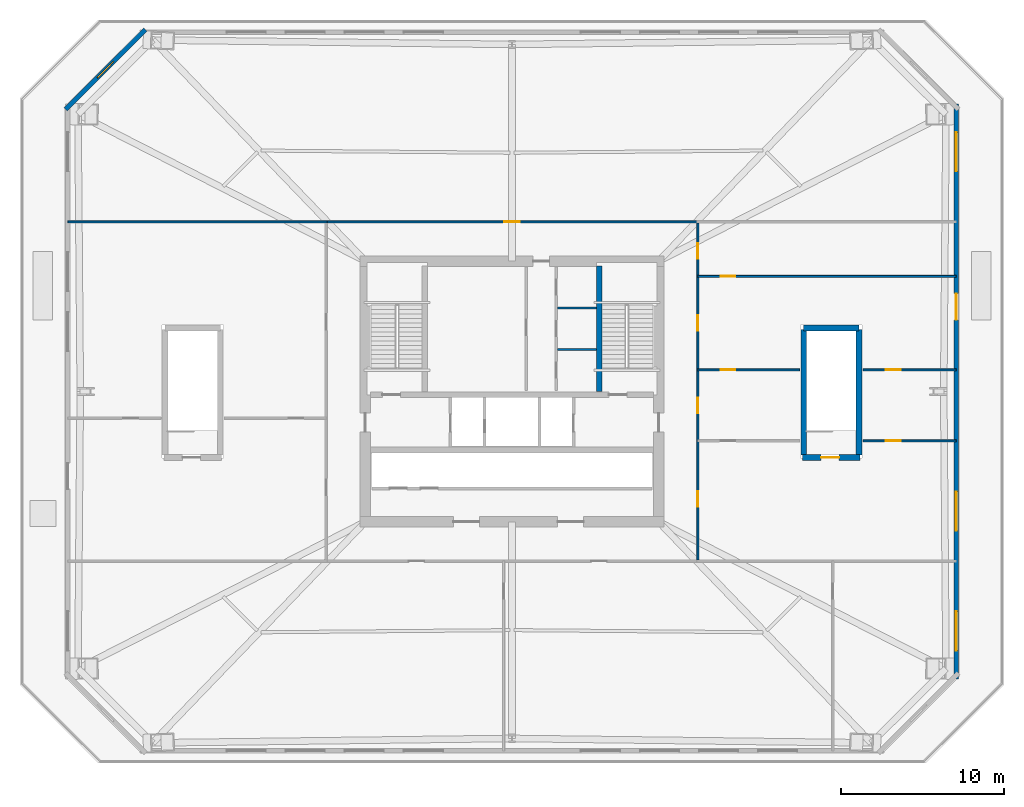
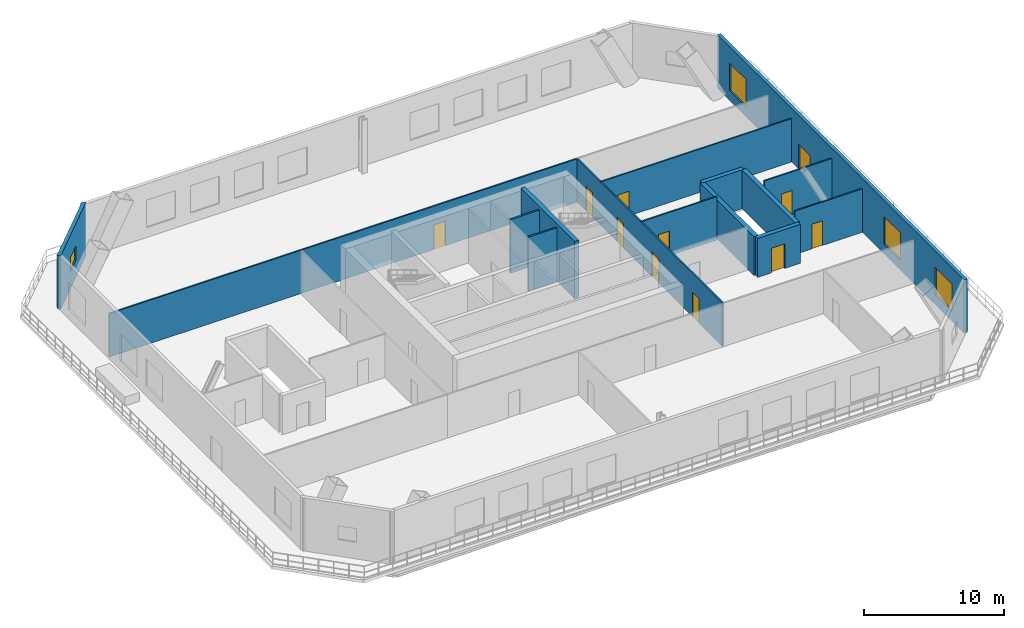
# One storey, part 4 of 7: 16 walls, 11 doors, 4 windows, 15 openings.
"""IFC4 building model written with IfcOpenShell, lengths in metres."""

from ifc_helpers import new_model, si_unit, direction, frame, frame_2d, origin, place, context, subcontext, project, spatial, rectangle, extrude, material, layer, layer_set, type_object, element, fill, save


model = new_model("IFC4")

# Units and contexts
model_context = context("Model", 3, precision=1e-05, world=origin(), true_north=direction((0.0, 1.0)))
body_context = subcontext(model_context, "Body", "Model", "MODEL_VIEW")
ifc_project = project(units=[si_unit("LENGTHUNIT", "METRE"), si_unit("AREAUNIT", "SQUARE_METRE"), si_unit("VOLUMEUNIT", "CUBIC_METRE"), si_unit("PLANEANGLEUNIT", "RADIAN"), si_unit("MASSUNIT", "GRAM", prefix="KILO")], contexts=[model_context])

# Site, building, storey
site_placement = place(None, origin())
site = spatial("IfcSite", under=ifc_project, at=site_placement, CompositionType="ELEMENT")
building_placement = place(site_placement, origin())
building = spatial("IfcBuilding", under=site, at=building_placement, Name="Caelvoria Tower", CompositionType="ELEMENT")
storey_placement = place(building_placement, frame((0.0, 0.0, 23.0)))
storey = spatial("IfcBuildingStorey", under=building, at=storey_placement, Name="L05", CompositionType="ELEMENT", Elevation=23.0)

# Wall
ifc_material_1 = material(Name="Concrete C50/60", Category="concrete")
ifc_layer_1 = layer(ifc_material_1, 0.35009765625, Name="Concrete C50/60")
ifc_layer_set_1 = layer_set([ifc_layer_1], Name="Core Internal Shear Wall 350 - Concrete C50/60")
wall_type_1 = type_object("IfcWallType", Name="Core Internal Shear Wall 350", PredefinedType="SHEAR", material=ifc_layer_set_1)
wall_1_placement = place(storey_placement, frame((51.35009765625, 32.0, 0.0), z_axis=(0.0, 0.0, 1.0), x_axis=(0.0, 1.0, 0.0)))
element("IfcWall", 1, at=wall_1_placement, inside=storey, type_object=wall_type_1, Name="Interior Partition IW-L05-ST2W", PredefinedType="SHEAR", context=body_context, shape_type="SweptSolid", body=[
    extrude(rectangle(XDim=7.699951171875, YDim=0.35009765625, at=frame_2d((3.85009765625, 0.0))), origin(), (0.0, 0.0, 1.0), 5.0),
])

# Wall, opening, door
wall_2_placement = place(storey_placement, frame((63.824951171875, 27.949951171875, 0.0), z_axis=(0.0, 0.0, 1.0), x_axis=(1.0, 0.0, 0.0)))
wall_2 = element("IfcWall", 2, at=wall_2_placement, inside=storey, type_object=wall_type_1, Name="Podium Stair Enclosure L05 ST4 S", PredefinedType="SHEAR", context=body_context, shape_type="SweptSolid", body=[
    extrude(rectangle(XDim=3.550048828125, YDim=0.35009765625, at=frame_2d((1.77490234375, 0.0))), origin(), (0.0, 0.0, 1.0), 3.39990234375),
])
opening_1_placement = place(wall_2_placement, frame((1.14990234375, 0.0, 0.0)))
opening_1 = element("IfcOpeningElement", 3, at=opening_1_placement, cuts=wall_2, Name="Opening ID-01", PredefinedType="OPENING", context=body_context, shape_type="SweptSolid", body=[
    extrude(rectangle(XDim=1.10009765625, YDim=2.14990234375, at=frame_2d((0.550048828125, 1.074951171875))), frame((0.0, 0.18505859375, 0.0), z_axis=(0.0, -1.0, 0.0), x_axis=(1.0, 0.0, 0.0)), (0.0, 0.0, 1.0), 0.3701171875),
])
ifc_material_2 = material(Name="Painted Hollow Steel Fire Door", Category="steel")
door_type_1 = type_object("IfcDoorType", Name="Fire Door FD90S 1100x2150", OperationType="NOTDEFINED", PredefinedType="DOOR", material=ifc_material_2)
door_1_placement = place(opening_1_placement, origin())
door_1 = element("IfcDoor", 4, at=door_1_placement, inside=storey, type_object=door_type_1, Name="Podium Stair Top Exit Door ST4", OperationType="SINGLE_SWING_LEFT", OverallHeight=2.14990234375, OverallWidth=1.10009765625, PredefinedType="DOOR", context=body_context, shape_type="SweptSolid", body=[
    extrude(rectangle(XDim=1.10009765625, YDim=2.14990234375, at=frame_2d((0.550048828125, 1.074951171875))), frame((0.0, 0.02490234375, 0.0), z_axis=(0.0, -1.0, 0.0), x_axis=(1.0, 0.0, 0.0)), (0.0, 0.0, 1.0), 0.050048828125),
])
fill(opening_1, door_1)

# Walls
wall_3_placement = place(storey_placement, frame((63.89990234375, 35.89990234375, 0.0), z_axis=(0.0, 0.0, 1.0), x_axis=(1.0, 0.0, 0.0)))
element("IfcWall", 5, at=wall_3_placement, inside=storey, type_object=wall_type_1, Name="Podium Stair Enclosure L05 ST4 N", PredefinedType="SHEAR", context=body_context, shape_type="SweptSolid", body=[
    extrude(rectangle(XDim=3.400146484375, YDim=0.35009765625, at=frame_2d((1.7001953125, 0.0))), origin(), (0.0, 0.0, 1.0), 3.39990234375),
])
for number, where, z_axis, x_axis, name in (
    (6, (63.89990234375, 28.10009765625, 0.0), (0.0, 0.0, 1.0), (0.0, 1.0, 0.0), "Podium Stair Enclosure L05 ST4 W"),
    (7, (67.300048828125, 28.10009765625, 0.0), (0.0, 0.0, 1.0), (0.0, 1.0, 0.0), "Podium Stair Enclosure L05 ST4 E"),
):
    element("IfcWall", number, at=place(storey_placement, frame(where, z_axis=z_axis, x_axis=x_axis)), inside=storey, type_object=wall_type_1, Name=name, PredefinedType="SHEAR", context=body_context, shape_type="SweptSolid", body=[
        extrude(rectangle(XDim=7.699951171875, YDim=0.35009765625, at=frame_2d((3.85009765625, 0.0))), origin(), (0.0, 0.0, 1.0), 3.39990234375),
    ])
ifc_material_3 = material(Name="Moisture-Resistant Gypsum on Steel Stud", Category="steel")
ifc_layer_2 = layer(ifc_material_3, 0.139892578125, Name="Moisture-Resistant Gypsum on Steel Stud")
ifc_layer_set_2 = layer_set([ifc_layer_2], Name="Core Sanitary Acoustic Partition Wall 140 - Moisture-Resistant Gypsum on Steel Stud")
wall_type_2 = type_object("IfcWallType", Name="Core Sanitary Acoustic Partition Wall 140", PredefinedType="PARTITIONING", material=ifc_layer_set_2)
for number, where, z_axis, x_axis, name in (
    (8, (48.800048828125, 34.580078125, 0.0), (0.0, 0.0, 1.0), (1.0, 0.0, 0.0), "Interior Partition IW-L05-C2H1"),
    (9, (48.800048828125, 37.1201171875, 0.0), (0.0, 0.0, 1.0), (1.0, 0.0, 0.0), "Interior Partition IW-L05-C2H2"),
):
    element("IfcWall", number, at=place(storey_placement, frame(where, z_axis=z_axis, x_axis=x_axis)), inside=storey, type_object=wall_type_2, Name=name, PredefinedType="PARTITIONING", context=body_context, shape_type="SweptSolid", body=[
        extrude(rectangle(XDim=2.39990234375, YDim=0.139892578125, at=frame_2d((1.199951171875, 0.0))), origin(), (0.0, 0.0, 1.0), 4.679931640625),
    ])

# Wall, openings, windows, door
ifc_material_4 = material(Name="Precast Concrete C40/50 with Bronze Cladding", Category="concrete")
ifc_layer_3 = layer(ifc_material_4, 0.280029296875, Name="Precast Concrete C40/50 with Bronze Cladding")
ifc_layer_set_3 = layer_set([ifc_layer_3], Name="Exterior Precast Concrete C40/50 Bronze-Clad Facade Wall 280 - Precast Concrete C40/50 with Bronze Cladding")
wall_type_3 = type_object("IfcWallType", Name="Exterior Precast Concrete C40/50 Bronze-Clad Facade Wall 280", PredefinedType="STANDARD", material=ifc_layer_set_3)
wall_4_placement = place(storey_placement, frame((73.260009765625, 14.360107421875, 0.0), z_axis=(0.0, 0.0, 1.0), x_axis=(0.0, 1.0, 0.0)))
wall_4 = element("IfcWall", 10, at=wall_4_placement, inside=storey, type_object=wall_type_3, Name="Exterior Facade Wall L05-E2", PredefinedType="STANDARD", context=body_context, shape_type="SweptSolid", body=[
    extrude(rectangle(XDim=35.27978515625, YDim=0.280029296875, at=frame_2d((17.639892578125, 0.0))), origin(), (0.0, 0.0, 1.0), 4.679931640625),
])
opening_2_placement = place(wall_4_placement, frame((22.0400390625, 0.0, 0.0)))
opening_2 = element("IfcOpeningElement", 11, at=opening_2_placement, cuts=wall_4, Name="Opening ED-03", PredefinedType="OPENING", context=body_context, shape_type="SweptSolid", body=[
    extrude(rectangle(XDim=1.60009765625, YDim=2.14990234375, at=frame_2d((0.800048828125, 1.074951171875))), frame((0.0, 0.14990234375, 0.0), z_axis=(0.0, -1.0, 0.0), x_axis=(1.0, 0.0, 0.0)), (0.0, 0.0, 1.0), 0.300048828125),
])
opening_3_placement = place(wall_4_placement, frame((1.73779296875, 0.0, 0.85009765625)))
opening_3 = element("IfcOpeningElement", 12, at=opening_3_placement, cuts=wall_4, Name="Opening WN-04", PredefinedType="OPENING", context=body_context, shape_type="SweptSolid", body=[
    extrude(rectangle(XDim=2.39990234375, YDim=2.39990234375, at=frame_2d((1.199951171875, 1.199951171875))), frame((0.0, 0.14990234375, 0.0), z_axis=(0.0, -1.0, 0.0), x_axis=(1.0, 0.0, 0.0)), (0.0, 0.0, 1.0), 0.300048828125),
])
opening_4_placement = place(wall_4_placement, frame((9.0888671875, 0.0, 0.85009765625)))
opening_4 = element("IfcOpeningElement", 13, at=opening_4_placement, cuts=wall_4, Name="Opening WN-04", PredefinedType="OPENING", context=body_context, shape_type="SweptSolid", body=[
    extrude(rectangle(XDim=2.39990234375, YDim=2.39990234375, at=frame_2d((1.199951171875, 1.199951171875))), frame((0.0, 0.14990234375, 0.0), z_axis=(0.0, -1.0, 0.0), x_axis=(1.0, 0.0, 0.0)), (0.0, 0.0, 1.0), 0.300048828125),
])
opening_5_placement = place(wall_4_placement, frame((31.14208984375, 0.0, 0.85009765625)))
opening_5 = element("IfcOpeningElement", 14, at=opening_5_placement, cuts=wall_4, Name="Opening WN-04", PredefinedType="OPENING", context=body_context, shape_type="SweptSolid", body=[
    extrude(rectangle(XDim=2.39990234375, YDim=2.39990234375, at=frame_2d((1.199951171875, 1.199951171875))), frame((0.0, 0.14990234375, 0.0), z_axis=(0.0, -1.0, 0.0), x_axis=(1.0, 0.0, 0.0)), (0.0, 0.0, 1.0), 0.300048828125),
])
ifc_material_5 = material(Name="Low-E Tinted Glass in Bronze Aluminium Frame", Category="aluminium")
window_type_1 = type_object("IfcWindowType", Name="Podium Commercial Ribbon Window 2400x2400", PartitioningType="SINGLE_PANEL", PredefinedType="WINDOW", material=ifc_material_5)
window_1_placement = place(opening_3_placement, origin())
window_1 = element("IfcWindow", 15, at=window_1_placement, inside=storey, type_object=window_type_1, Name="Facade Window L05-E2-00", OverallHeight=2.39990234375, OverallWidth=2.39990234375, PartitioningType="SINGLE_PANEL", PredefinedType="WINDOW", context=body_context, shape_type="SweptSolid", body=[
    extrude(rectangle(XDim=2.39990234375, YDim=2.39990234375, at=frame_2d((1.199951171875, 1.199951171875))), frame((0.0, 0.030029296875, 0.0), z_axis=(0.0, -1.0, 0.0), x_axis=(1.0, 0.0, 0.0)), (0.0, 0.0, 1.0), 0.06005859375),
])
fill(opening_3, window_1)
window_2_placement = place(opening_4_placement, origin())
window_2 = element("IfcWindow", 16, at=window_2_placement, inside=storey, type_object=window_type_1, Name="Facade Window L05-E2-02", OverallHeight=2.39990234375, OverallWidth=2.39990234375, PartitioningType="SINGLE_PANEL", PredefinedType="WINDOW", context=body_context, shape_type="SweptSolid", body=[
    extrude(rectangle(XDim=2.39990234375, YDim=2.39990234375, at=frame_2d((1.199951171875, 1.199951171875))), frame((0.0, 0.030029296875, 0.0), z_axis=(0.0, -1.0, 0.0), x_axis=(1.0, 0.0, 0.0)), (0.0, 0.0, 1.0), 0.06005859375),
])
fill(opening_4, window_2)
window_3_placement = place(opening_5_placement, origin())
window_3 = element("IfcWindow", 17, at=window_3_placement, inside=storey, type_object=window_type_1, Name="Facade Window L05-E2-08", OverallHeight=2.39990234375, OverallWidth=2.39990234375, PartitioningType="SINGLE_PANEL", PredefinedType="WINDOW", context=body_context, shape_type="SweptSolid", body=[
    extrude(rectangle(XDim=2.39990234375, YDim=2.39990234375, at=frame_2d((1.199951171875, 1.199951171875))), frame((0.0, 0.030029296875, 0.0), z_axis=(0.0, -1.0, 0.0), x_axis=(1.0, 0.0, 0.0)), (0.0, 0.0, 1.0), 0.06005859375),
])
fill(opening_5, window_3)
ifc_material_6 = material(Name="Anodised Bronze Aluminium and Laminated Glass", Category="aluminium")
door_type_2 = type_object("IfcDoorType", Name="Terrace Garden Double Glazed Door 1600x2150", OperationType="NOTDEFINED", PredefinedType="DOOR", material=ifc_material_6)
door_2_placement = place(opening_2_placement, origin())
door_2 = element("IfcDoor", 18, at=door_2_placement, inside=storey, type_object=door_type_2, Name="Terrace Roof Garden Door L05-E", OperationType="DOUBLE_DOOR_SINGLE_SWING", OverallHeight=2.14990234375, OverallWidth=1.60009765625, PredefinedType="DOOR", context=body_context, shape_type="SweptSolid", body=[
    extrude(rectangle(XDim=1.60009765625, YDim=2.14990234375, at=frame_2d((0.800048828125, 1.074951171875))), frame((0.0, 0.02490234375, 0.0), z_axis=(0.0, -1.0, 0.0), x_axis=(1.0, 0.0, 0.0)), (0.0, 0.0, 1.0), 0.050048828125),
])
fill(opening_2, door_2)

# Wall, opening, window
wall_5_placement = place(storey_placement, frame((23.498046875, 54.199951171875, 0.0), z_axis=(0.0, 0.0, 1.0), x_axis=(-0.707106781187, -0.707106781187, 0.0)))
wall_5 = element("IfcWall", 19, at=wall_5_placement, inside=storey, type_object=wall_type_3, Name="Exterior Facade Wall L05-E5", PredefinedType="STANDARD", context=body_context, shape_type="SweptSolid", body=[
    extrude(rectangle(XDim=6.9267578125, YDim=0.280029296875, at=frame_2d((3.46337890625, 0.0))), origin(), (0.0, 0.0, 1.0), 4.679931640625),
])
opening_6_placement = place(wall_5_placement, frame((2.763427734375, 0.0, 1.5)))
opening_6 = element("IfcOpeningElement", 20, at=opening_6_placement, cuts=wall_5, Name="Opening WN-06", PredefinedType="OPENING", context=body_context, shape_type="SweptSolid", body=[
    extrude(rectangle(XDim=1.39990234375, YDim=1.199951171875, at=frame_2d((0.699951171875, 0.60009765625))), frame((0.0, 0.14990234375, 0.0), z_axis=(0.0, -1.0, 0.0), x_axis=(1.0, 0.0, 0.0)), (0.0, 0.0, 1.0), 0.300048828125),
])
window_type_2 = type_object("IfcWindowType", Name="Podium Clerestory Window 1400x1200", PartitioningType="SINGLE_PANEL", PredefinedType="WINDOW", material=ifc_material_5)
window_4_placement = place(opening_6_placement, origin())
window_4 = element("IfcWindow", 21, at=window_4_placement, inside=storey, type_object=window_type_2, Name="Facade Window L05-E5-00", OverallHeight=1.199951171875, OverallWidth=1.39990234375, PartitioningType="SINGLE_PANEL", PredefinedType="WINDOW", context=body_context, shape_type="SweptSolid", body=[
    extrude(rectangle(XDim=1.39990234375, YDim=1.199951171875, at=frame_2d((0.699951171875, 0.60009765625))), frame((0.0, 0.030029296875, 0.0), z_axis=(0.0, -1.0, 0.0), x_axis=(1.0, 0.0, 0.0)), (0.0, 0.0, 1.0), 0.06005859375),
])
fill(opening_6, window_4)

# Wall, opening, door
ifc_material_7 = material(Name="Acoustic Gypsum Board on Light-Gauge Stud", Category="gypsum")
ifc_layer_4 = layer(ifc_material_7, 0.1201171875, Name="Acoustic Gypsum Board on Light-Gauge Stud")
ifc_layer_set_4 = layer_set([ifc_layer_4], Name="Tenant Suite Acoustic Partition Wall 120 - Acoustic Gypsum Board on Light-Gauge Stud")
wall_type_4 = type_object("IfcWallType", Name="Tenant Suite Acoustic Partition Wall 120", PredefinedType="PARTITIONING", material=ifc_layer_set_4)
wall_6_placement = place(storey_placement, frame((34.64990234375, 42.409912109375, 0.0), z_axis=(0.0, 0.0, 1.0), x_axis=(1.0, 0.0, 0.0)))
wall_6 = element("IfcWall", 22, at=wall_6_placement, inside=storey, type_object=wall_type_4, Name="Interior Partition IW-L05-NCW-0", PredefinedType="PARTITIONING", context=body_context, shape_type="SweptSolid", body=[
    extrude(rectangle(XDim=22.7001953125, YDim=0.1201171875, at=frame_2d((11.35009765625, 0.0))), origin(), (0.0, 0.0, 1.0), 3.780029296875),
])
opening_7_placement = place(wall_6_placement, frame((10.875, 0.0, 0.0)))
opening_7 = element("IfcOpeningElement", 23, at=opening_7_placement, cuts=wall_6, Name="Opening ID-05", PredefinedType="OPENING", context=body_context, shape_type="SweptSolid", body=[
    extrude(rectangle(XDim=0.949951171875, YDim=2.14990234375, at=frame_2d((0.47509765625, 1.074951171875))), frame((0.0, 0.070068359375, 0.0), z_axis=(0.0, -1.0, 0.0), x_axis=(1.0, 0.0, 0.0)), (0.0, 0.0, 1.0), 0.14013671875),
])
ifc_material_8 = material(Name="Engineered Andean Oak Veneer Door", Category="wood")
door_type_3 = type_object("IfcDoorType", Name="Interior Timber Door 950x2150", OperationType="NOTDEFINED", PredefinedType="DOOR", material=ifc_material_8)
door_3_placement = place(opening_7_placement, origin())
door_3 = element("IfcDoor", 24, at=door_3_placement, inside=storey, type_object=door_type_3, Name="Interior Door DR-L05-NC-00-0", OperationType="SINGLE_SWING_RIGHT", OverallHeight=2.14990234375, OverallWidth=0.949951171875, PredefinedType="DOOR", context=body_context, shape_type="SweptSolid", body=[
    extrude(rectangle(XDim=0.949951171875, YDim=2.14990234375, at=frame_2d((0.47509765625, 1.074951171875))), frame((0.0, 0.02490234375, 0.0), z_axis=(0.0, -1.0, 0.0), x_axis=(1.0, 0.0, 0.0)), (0.0, 0.0, 1.0), 0.050048828125),
])
fill(opening_7, door_3)

wall_7_placement = place(storey_placement, frame((67.550048828125, 28.968994140625, 0.0), z_axis=(0.0, 0.0, 1.0), x_axis=(1.0, 0.0, 0.0)))
wall_7 = element("IfcWall", 25, at=wall_7_placement, inside=storey, type_object=wall_type_4, Name="Interior Partition IW-L05-ED-00-1", PredefinedType="PARTITIONING", context=body_context, shape_type="SweptSolid", body=[
    extrude(rectangle(XDim=5.7099609375, YDim=0.1201171875, at=frame_2d((2.85498046875, 0.0))), origin(), (0.0, 0.0, 1.0), 3.780029296875),
])
opening_8_placement = place(wall_7_placement, frame((1.39990234375, 0.0, 0.0)))
opening_8 = element("IfcOpeningElement", 26, at=opening_8_placement, cuts=wall_7, Name="Opening ID-06", PredefinedType="OPENING", context=body_context, shape_type="SweptSolid", body=[
    extrude(rectangle(XDim=0.89990234375, YDim=2.14990234375, at=frame_2d((0.449951171875, 1.074951171875))), frame((0.0, 0.070068359375, 0.0), z_axis=(0.0, -1.0, 0.0), x_axis=(1.0, 0.0, 0.0)), (0.0, 0.0, 1.0), 0.14013671875),
])
door_type_4 = type_object("IfcDoorType", Name="Interior Timber Door 900x2150", OperationType="NOTDEFINED", PredefinedType="DOOR", material=ifc_material_8)
door_4_placement = place(opening_8_placement, origin())
door_4 = element("IfcDoor", 27, at=door_4_placement, inside=storey, type_object=door_type_4, Name="Interior Door DR-L05-EM-00-1", OperationType="SINGLE_SWING_RIGHT", OverallHeight=2.14990234375, OverallWidth=0.89990234375, PredefinedType="DOOR", context=body_context, shape_type="SweptSolid", body=[
    extrude(rectangle(XDim=0.89990234375, YDim=2.14990234375, at=frame_2d((0.449951171875, 1.074951171875))), frame((0.0, 0.02490234375, 0.0), z_axis=(0.0, -1.0, 0.0), x_axis=(1.0, 0.0, 0.0)), (0.0, 0.0, 1.0), 0.050048828125),
])
fill(opening_8, door_4)

wall_8_placement = place(storey_placement, frame((57.409912109375, 33.326416015625, 0.0), z_axis=(0.0, 0.0, 1.0), x_axis=(1.0, 0.0, 0.0)))
wall_8 = element("IfcWall", 28, at=wall_8_placement, inside=storey, type_object=wall_type_4, Name="Interior Partition IW-L05-ED-01-0", PredefinedType="PARTITIONING", context=body_context, shape_type="SweptSolid", body=[
    extrude(rectangle(XDim=6.239990234375, YDim=0.1201171875, at=frame_2d((3.1201171875, 0.0))), origin(), (0.0, 0.0, 1.0), 3.780029296875),
])
opening_9_placement = place(wall_8_placement, frame((1.39990234375, 0.0, 0.0)))
opening_9 = element("IfcOpeningElement", 29, at=opening_9_placement, cuts=wall_8, Name="Opening ID-06", PredefinedType="OPENING", context=body_context, shape_type="SweptSolid", body=[
    extrude(rectangle(XDim=0.89990234375, YDim=2.14990234375, at=frame_2d((0.449951171875, 1.074951171875))), frame((0.0, 0.070068359375, 0.0), z_axis=(0.0, -1.0, 0.0), x_axis=(1.0, 0.0, 0.0)), (0.0, 0.0, 1.0), 0.14013671875),
])
door_5_placement = place(opening_9_placement, origin())
door_5 = element("IfcDoor", 30, at=door_5_placement, inside=storey, type_object=door_type_4, Name="Interior Door DR-L05-EM-01-0", OperationType="SINGLE_SWING_LEFT", OverallHeight=2.14990234375, OverallWidth=0.89990234375, PredefinedType="DOOR", context=body_context, shape_type="SweptSolid", body=[
    extrude(rectangle(XDim=0.89990234375, YDim=2.14990234375, at=frame_2d((0.449951171875, 1.074951171875))), frame((0.0, 0.02490234375, 0.0), z_axis=(0.0, -1.0, 0.0), x_axis=(1.0, 0.0, 0.0)), (0.0, 0.0, 1.0), 0.050048828125),
])
fill(opening_9, door_5)

wall_9_placement = place(storey_placement, frame((67.550048828125, 33.326416015625, 0.0), z_axis=(0.0, 0.0, 1.0), x_axis=(1.0, 0.0, 0.0)))
wall_9 = element("IfcWall", 31, at=wall_9_placement, inside=storey, type_object=wall_type_4, Name="Interior Partition IW-L05-ED-01-1", PredefinedType="PARTITIONING", context=body_context, shape_type="SweptSolid", body=[
    extrude(rectangle(XDim=5.7099609375, YDim=0.1201171875, at=frame_2d((2.85498046875, 0.0))), origin(), (0.0, 0.0, 1.0), 3.780029296875),
])
opening_10_placement = place(wall_9_placement, frame((1.39990234375, 0.0, 0.0)))
opening_10 = element("IfcOpeningElement", 32, at=opening_10_placement, cuts=wall_9, Name="Opening ID-06", PredefinedType="OPENING", context=body_context, shape_type="SweptSolid", body=[
    extrude(rectangle(XDim=0.89990234375, YDim=2.14990234375, at=frame_2d((0.449951171875, 1.074951171875))), frame((0.0, 0.070068359375, 0.0), z_axis=(0.0, -1.0, 0.0), x_axis=(1.0, 0.0, 0.0)), (0.0, 0.0, 1.0), 0.14013671875),
])
door_6_placement = place(opening_10_placement, origin())
door_6 = element("IfcDoor", 33, at=door_6_placement, inside=storey, type_object=door_type_4, Name="Interior Door DR-L05-EM-01-1", OperationType="SINGLE_SWING_LEFT", OverallHeight=2.14990234375, OverallWidth=0.89990234375, PredefinedType="DOOR", context=body_context, shape_type="SweptSolid", body=[
    extrude(rectangle(XDim=0.89990234375, YDim=2.14990234375, at=frame_2d((0.449951171875, 1.074951171875))), frame((0.0, 0.02490234375, 0.0), z_axis=(0.0, -1.0, 0.0), x_axis=(1.0, 0.0, 0.0)), (0.0, 0.0, 1.0), 0.050048828125),
])
fill(opening_10, door_6)

wall_10_placement = place(storey_placement, frame((57.409912109375, 39.06787109375, 0.0), z_axis=(0.0, 0.0, 1.0), x_axis=(1.0, 0.0, 0.0)))
wall_10 = element("IfcWall", 34, at=wall_10_placement, inside=storey, type_object=wall_type_4, Name="Interior Partition IW-L05-ED-02-0", PredefinedType="PARTITIONING", context=body_context, shape_type="SweptSolid", body=[
    extrude(rectangle(XDim=15.85009765625, YDim=0.1201171875, at=frame_2d((7.925048828125, 0.0))), origin(), (0.0, 0.0, 1.0), 3.780029296875),
])
opening_11_placement = place(wall_10_placement, frame((1.39990234375, 0.0, 0.0)))
opening_11 = element("IfcOpeningElement", 35, at=opening_11_placement, cuts=wall_10, Name="Opening ID-06", PredefinedType="OPENING", context=body_context, shape_type="SweptSolid", body=[
    extrude(rectangle(XDim=0.89990234375, YDim=2.14990234375, at=frame_2d((0.449951171875, 1.074951171875))), frame((0.0, 0.070068359375, 0.0), z_axis=(0.0, -1.0, 0.0), x_axis=(1.0, 0.0, 0.0)), (0.0, 0.0, 1.0), 0.14013671875),
])
door_7_placement = place(opening_11_placement, origin())
door_7 = element("IfcDoor", 36, at=door_7_placement, inside=storey, type_object=door_type_4, Name="Interior Door DR-L05-EM-02-0", OperationType="SINGLE_SWING_RIGHT", OverallHeight=2.14990234375, OverallWidth=0.89990234375, PredefinedType="DOOR", context=body_context, shape_type="SweptSolid", body=[
    extrude(rectangle(XDim=0.89990234375, YDim=2.14990234375, at=frame_2d((0.449951171875, 1.074951171875))), frame((0.0, 0.02490234375, 0.0), z_axis=(0.0, -1.0, 0.0), x_axis=(1.0, 0.0, 0.0)), (0.0, 0.0, 1.0), 0.050048828125),
])
fill(opening_11, door_7)

# Wall, openings, doors
wall_11_placement = place(storey_placement, frame((57.409912109375, 21.64990234375, 0.0), z_axis=(0.0, 0.0, 1.0), x_axis=(0.0, 1.0, 0.0)))
wall_11 = element("IfcWall", 37, at=wall_11_placement, inside=storey, type_object=wall_type_4, Name="Interior Partition IW-L05-ECW-0", PredefinedType="PARTITIONING", context=body_context, shape_type="SweptSolid", body=[
    extrude(rectangle(XDim=20.7001953125, YDim=0.1201171875, at=frame_2d((10.35009765625, 0.0))), origin(), (0.0, 0.0, 1.0), 3.780029296875),
])
opening_12_placement = place(wall_11_placement, frame((3.28466796875, 0.0, 0.0)))
opening_12 = element("IfcOpeningElement", 38, at=opening_12_placement, cuts=wall_11, Name="Opening ID-05", PredefinedType="OPENING", context=body_context, shape_type="SweptSolid", body=[
    extrude(rectangle(XDim=0.949951171875, YDim=2.14990234375, at=frame_2d((0.47509765625, 1.074951171875))), frame((0.0, 0.070068359375, 0.0), z_axis=(0.0, -1.0, 0.0), x_axis=(1.0, 0.0, 0.0)), (0.0, 0.0, 1.0), 0.14013671875),
])
opening_13_placement = place(wall_11_placement, frame((9.022705078125, 0.0, 0.0)))
opening_13 = element("IfcOpeningElement", 39, at=opening_13_placement, cuts=wall_11, Name="Opening ID-05", PredefinedType="OPENING", context=body_context, shape_type="SweptSolid", body=[
    extrude(rectangle(XDim=0.949951171875, YDim=2.14990234375, at=frame_2d((0.47509765625, 1.074951171875))), frame((0.0, 0.070068359375, 0.0), z_axis=(0.0, -1.0, 0.0), x_axis=(1.0, 0.0, 0.0)), (0.0, 0.0, 1.0), 0.14013671875),
])
opening_14_placement = place(wall_11_placement, frame((14.072021484375, 0.0, 0.0)))
opening_14 = element("IfcOpeningElement", 40, at=opening_14_placement, cuts=wall_11, Name="Opening ID-05", PredefinedType="OPENING", context=body_context, shape_type="SweptSolid", body=[
    extrude(rectangle(XDim=0.949951171875, YDim=2.14990234375, at=frame_2d((0.47509765625, 1.074951171875))), frame((0.0, 0.070068359375, 0.0), z_axis=(0.0, -1.0, 0.0), x_axis=(1.0, 0.0, 0.0)), (0.0, 0.0, 1.0), 0.14013671875),
])
opening_15_placement = place(wall_11_placement, frame((18.48388671875, 0.0, 0.0)))
opening_15 = element("IfcOpeningElement", 41, at=opening_15_placement, cuts=wall_11, Name="Opening ID-05", PredefinedType="OPENING", context=body_context, shape_type="SweptSolid", body=[
    extrude(rectangle(XDim=0.949951171875, YDim=2.14990234375, at=frame_2d((0.47509765625, 1.074951171875))), frame((0.0, 0.070068359375, 0.0), z_axis=(0.0, -1.0, 0.0), x_axis=(1.0, 0.0, 0.0)), (0.0, 0.0, 1.0), 0.14013671875),
])
door_8_placement = place(opening_12_placement, origin())
door_8 = element("IfcDoor", 42, at=door_8_placement, inside=storey, type_object=door_type_3, Name="Interior Door DR-L05-EC-00-0", OperationType="SINGLE_SWING_RIGHT", OverallHeight=2.14990234375, OverallWidth=0.949951171875, PredefinedType="DOOR", context=body_context, shape_type="SweptSolid", body=[
    extrude(rectangle(XDim=0.949951171875, YDim=2.14990234375, at=frame_2d((0.47509765625, 1.074951171875))), frame((0.0, 0.02490234375, 0.0), z_axis=(0.0, -1.0, 0.0), x_axis=(1.0, 0.0, 0.0)), (0.0, 0.0, 1.0), 0.050048828125),
])
fill(opening_12, door_8)
door_9_placement = place(opening_13_placement, origin())
door_9 = element("IfcDoor", 43, at=door_9_placement, inside=storey, type_object=door_type_3, Name="Interior Door DR-L05-EC-01-0", OperationType="SINGLE_SWING_LEFT", OverallHeight=2.14990234375, OverallWidth=0.949951171875, PredefinedType="DOOR", context=body_context, shape_type="SweptSolid", body=[
    extrude(rectangle(XDim=0.949951171875, YDim=2.14990234375, at=frame_2d((0.47509765625, 1.074951171875))), frame((0.0, 0.02490234375, 0.0), z_axis=(0.0, -1.0, 0.0), x_axis=(1.0, 0.0, 0.0)), (0.0, 0.0, 1.0), 0.050048828125),
])
fill(opening_13, door_9)
door_10_placement = place(opening_14_placement, origin())
door_10 = element("IfcDoor", 44, at=door_10_placement, inside=storey, type_object=door_type_3, Name="Interior Door DR-L05-EC-02-0", OperationType="SINGLE_SWING_RIGHT", OverallHeight=2.14990234375, OverallWidth=0.949951171875, PredefinedType="DOOR", context=body_context, shape_type="SweptSolid", body=[
    extrude(rectangle(XDim=0.949951171875, YDim=2.14990234375, at=frame_2d((0.47509765625, 1.074951171875))), frame((0.0, 0.02490234375, 0.0), z_axis=(0.0, -1.0, 0.0), x_axis=(1.0, 0.0, 0.0)), (0.0, 0.0, 1.0), 0.050048828125),
])
fill(opening_14, door_10)
door_11_placement = place(opening_15_placement, origin())
door_11 = element("IfcDoor", 45, at=door_11_placement, inside=storey, type_object=door_type_3, Name="Interior Door DR-L05-EC-03-0", OperationType="SINGLE_SWING_LEFT", OverallHeight=2.14990234375, OverallWidth=0.949951171875, PredefinedType="DOOR", context=body_context, shape_type="SweptSolid", body=[
    extrude(rectangle(XDim=0.949951171875, YDim=2.14990234375, at=frame_2d((0.47509765625, 1.074951171875))), frame((0.0, 0.02490234375, 0.0), z_axis=(0.0, -1.0, 0.0), x_axis=(1.0, 0.0, 0.0)), (0.0, 0.0, 1.0), 0.050048828125),
])
fill(opening_15, door_11)

# Wall
wall_12_placement = place(storey_placement, frame((34.64990234375, 42.409912109375, 0.0), z_axis=(0.0, 0.0, 1.0), x_axis=(-1.0, 0.0, 0.0)))
element("IfcWall", 46, at=wall_12_placement, inside=storey, type_object=wall_type_4, Name="Interior Partition IW-L05-BNW-0", PredefinedType="PARTITIONING", context=body_context, shape_type="SweptSolid", body=[
    extrude(rectangle(XDim=15.909912109375, YDim=0.1201171875, at=frame_2d((7.955078125, 0.0))), origin(), (0.0, 0.0, 1.0), 3.780029296875),
])

save(model, "model.ifc")
